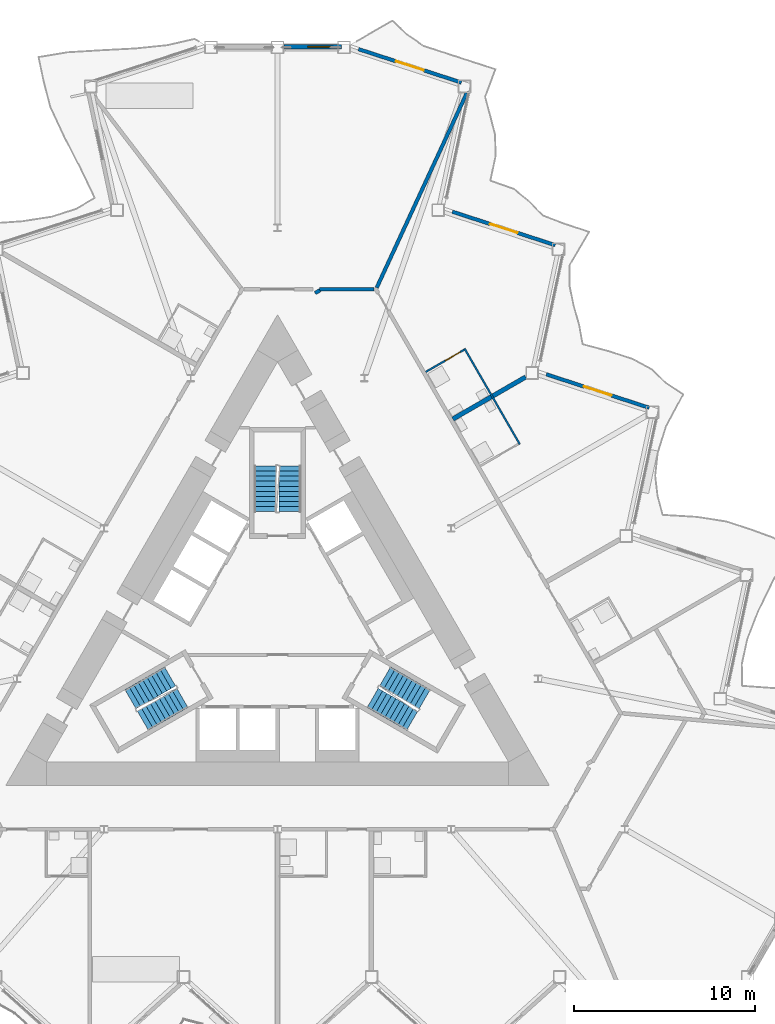
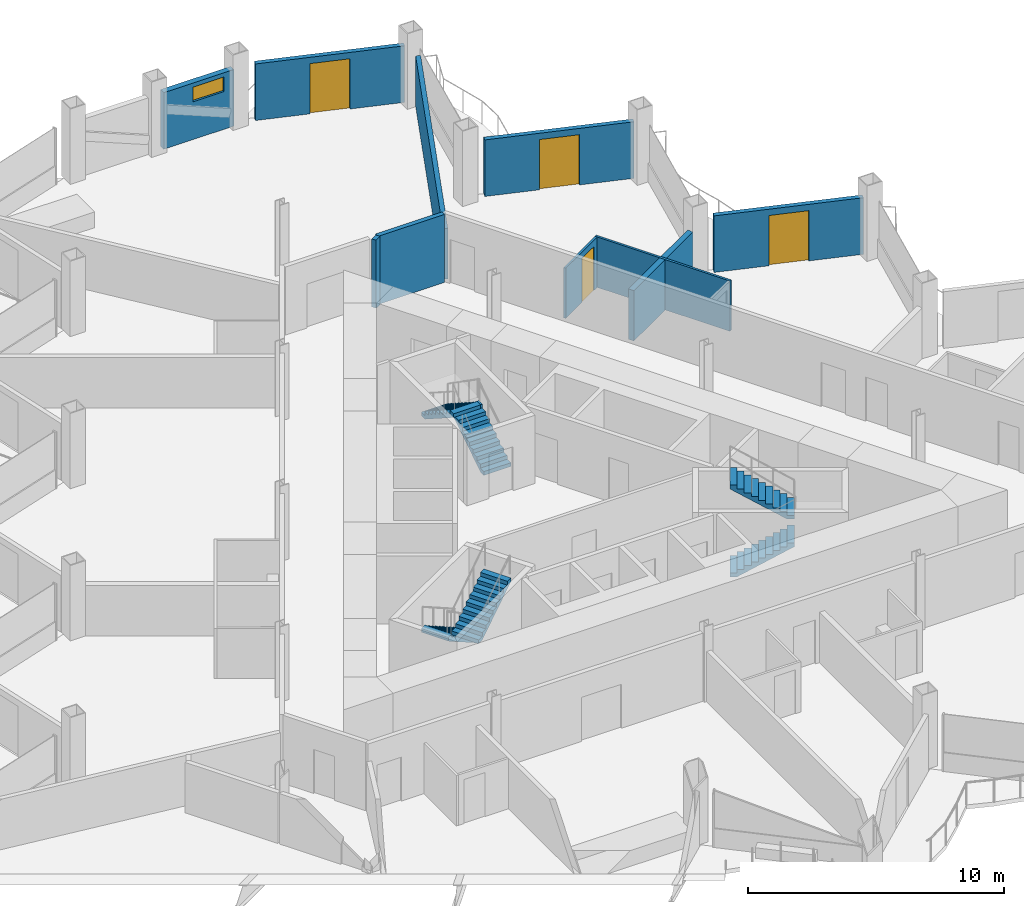
# One storey, part 15 of 23: 10 walls, 6 stair flights, 4 doors, 1 window, 5 openings, 3 elements without a shape of their own.
"""IFC4 building model written with IfcOpenShell, lengths in metres."""

import ifcopenshell
import ifcopenshell.guid

model = None  # the IFC model being written
_history = None  # IfcOwnerHistory: only IFC2X3 demands one
_inside = {}  # id of a spatial element -> (the spatial element, [elements in it])
_under = {}  # id of a project, library or spatial element -> (it, [spatial elements below it])
_declared = {}  # id of a project -> (the project, [libraries it declares])
_typed = {}  # id of a type object -> (the type object, [elements of that type])
_made_of = {}  # id of a material, layer set ... -> (it, [elements and type objects made of it])


def new_model(schema):
    """Start an empty IFC model of exactly this schema.

    Asked for "IFC4X3", IfcOpenShell would pick the latest addendum, in which some entities
    have other attributes; the version numbers below select the first issue.
    IFC2X3 requires an IfcOwnerHistory on every rooted entity: one is made here for all.
    """
    global model, _history
    if schema == "IFC4X3":
        model = ifcopenshell.file(schema_version=(4, 3, 0, 0))
    else:
        model = ifcopenshell.file(schema=schema)
    _inside.clear()
    _under.clear()
    _declared.clear()
    _typed.clear()
    _made_of.clear()
    _history = None
    if model.schema == "IFC2X3":
        org = make("IfcOrganization", Name="unknown")
        user = make(
            "IfcPersonAndOrganization",
            ThePerson=make("IfcPerson", FamilyName="unknown"),
            TheOrganization=org,
        )
        app = make(
            "IfcApplication",
            ApplicationDeveloper=org,
            Version="unknown",
            ApplicationFullName="unknown",
            ApplicationIdentifier="unknown",
        )
        _history = make(
            "IfcOwnerHistory",
            OwningUser=user,
            OwningApplication=app,
            ChangeAction="ADDED",
            CreationDate=0,
        )
    return model


def make(cls, **values):
    """One entity of the class cls with the attributes given. An attribute that is None is left unset."""
    return model.create_entity(
        cls, **{name: value for name, value in values.items() if value is not None}
    )


def rooted(cls, **values):
    """An entity with a GlobalId (a new one), such as an element, a storey or a relation."""
    return make(cls, GlobalId=ifcopenshell.guid.new(), OwnerHistory=_history, **values)


def si_unit(unit_type, name, prefix=None):
    """IfcSIUnit, for example si_unit("LENGTHUNIT", "METRE", prefix="MILLI")."""
    return make("IfcSIUnit", UnitType=unit_type, Prefix=prefix, Name=name)


def assignment(units):
    """IfcUnitAssignment: the units of a project."""
    return None if units is None else make("IfcUnitAssignment", Units=units)


def point(xyz):
    """IfcCartesianPoint."""
    return None if xyz is None else make("IfcCartesianPoint", Coordinates=xyz)


def direction(xyz):
    """IfcDirection."""
    return None if xyz is None else make("IfcDirection", DirectionRatios=xyz)


def frame(location, z_axis=None, x_axis=None):
    """IfcAxis2Placement3D, a coordinate frame: its origin and axes. An axis left out is left unset."""
    return make(
        "IfcAxis2Placement3D",
        Location=point(location),
        Axis=direction(z_axis),
        RefDirection=direction(x_axis),
    )


def frame_2d(location, x_axis=None):
    """IfcAxis2Placement2D, a coordinate frame in the plane: its origin and x axis."""
    return make(
        "IfcAxis2Placement2D", Location=point(location), RefDirection=direction(x_axis)
    )


def origin():
    """The frame at (0, 0, 0) with its axes left unset."""
    return frame((0.0, 0.0, 0.0))


def place(relative_to, where):
    """IfcLocalPlacement: puts the frame where relative to a parent placement (None: the world)."""
    return make(
        "IfcLocalPlacement", PlacementRelTo=relative_to, RelativePlacement=where
    )


def context(
    kind, dimensions, precision=None, world=None, true_north=None, identifier=None
):
    """IfcGeometricRepresentationContext, for example the 3D "Model" context."""
    return make(
        "IfcGeometricRepresentationContext",
        ContextIdentifier=identifier,
        ContextType=kind,
        CoordinateSpaceDimension=dimensions,
        Precision=precision,
        WorldCoordinateSystem=world,
        TrueNorth=true_north,
    )


def subcontext(parent, identifier, kind, view, scale=None):
    """IfcGeometricRepresentationSubContext, for example "Body" below "Model"."""
    return make(
        "IfcGeometricRepresentationSubContext",
        ContextIdentifier=identifier,
        ContextType=kind,
        ParentContext=parent,
        TargetScale=scale,
        TargetView=view,
    )


def project(units=None, contexts=None):
    """IfcProject with its units and contexts."""
    return rooted(
        "IfcProject",
        Name="project",
        RepresentationContexts=contexts,
        UnitsInContext=assignment(units),
    )


def spatial(cls, under=None, at=None, **own):
    """A site, building, storey or space (cls), placed at a placement, below another one or the project."""
    s = rooted(cls, ObjectPlacement=at, **own)
    if under is not None:
        _under.setdefault(under.id(), (under, []))[1].append(s)
    return s


def polyline(points):
    """IfcPolyline through the points."""
    return make("IfcPolyline", Points=[point(p) for p in points])


def profile(cls, at=None, kind="AREA", **sizes):
    """A parametric profile (cls). Its sizes go by their IFC names, for example OverallWidth=200.0."""
    return make(cls, ProfileType=kind, Position=at, **sizes)


def rectangle(**sizes):
    """IfcRectangleProfileDef."""
    return profile("IfcRectangleProfileDef", **sizes)


def outline(outer, holes=None, kind="AREA"):
    """IfcArbitraryClosedProfileDef: a profile drawn as a closed curve; with holes, ...WithVoids."""
    if holes is None:
        return make("IfcArbitraryClosedProfileDef", ProfileType=kind, OuterCurve=outer)
    return make(
        "IfcArbitraryProfileDefWithVoids",
        ProfileType=kind,
        OuterCurve=outer,
        InnerCurves=holes,
    )


def extrude(swept, where, along, depth):
    """IfcExtrudedAreaSolid: the profile swept, set in the frame where, extruded along a direction by depth."""
    return make(
        "IfcExtrudedAreaSolid",
        SweptArea=swept,
        Position=where,
        ExtrudedDirection=direction(along),
        Depth=depth,
    )


def shape(context_of_items, identifier, shape_type, items):
    """IfcShapeRepresentation: the items that make up one representation, for example the "Body"."""
    return make(
        "IfcShapeRepresentation",
        ContextOfItems=context_of_items,
        RepresentationIdentifier=identifier,
        RepresentationType=shape_type,
        Items=items,
    )


def material(Name=None, Category=None):
    """IfcMaterial."""
    return make("IfcMaterial", Name=Name, Category=Category)


def layer(
    of_material, thickness, ventilated=None, Name=None, Category=None, Priority=None
):
    """IfcMaterialLayer: one layer of a wall or slab, of a material (None: an air gap)."""
    return make(
        "IfcMaterialLayer",
        Material=of_material,
        LayerThickness=thickness,
        IsVentilated=ventilated,
        Name=Name,
        Category=Category,
        Priority=Priority,
    )


def layer_set(layers, Name=None):
    """IfcMaterialLayerSet."""
    return make("IfcMaterialLayerSet", MaterialLayers=layers, LayerSetName=Name)


def made_of(thing, what):
    """Note that an element or type object is made of a material, layer set ...; save() writes the relation."""
    if what is not None:
        _made_of.setdefault(what.id(), (what, []))[1].append(thing)
    return thing


def type_object(cls, material=None, **own):
    """A type object (cls), such as IfcWallType, which elements share."""
    return made_of(rooted(cls, **own), material)


def element(
    cls,
    number,
    at=None,
    inside=None,
    cuts=None,
    type_object=None,
    material=None,
    context=None,
    identifier="Body",
    shape_type=None,
    held_by="IfcProductDefinitionShape",
    body=None,
    shapes=None,
    **own,
):
    """One element of the class cls, such as IfcWall. Its Tag is "e" and its number.

    at: its placement. inside: the storey or other place that contains it. cuts: it is an
    opening in that element (IfcRelVoidsElement). A single representation is given by context,
    identifier, shape_type and body (its items); several are given by shapes. held_by: the class
    of the entity that holds the representations. save() writes the other relations.
    """
    e = rooted(cls, Tag="e%d" % number, ObjectPlacement=at, **own)
    if body is not None:
        shapes = [shape(context, identifier, shape_type, body)]
    if shapes is not None:
        e.Representation = make(held_by, Representations=shapes)
    if inside is not None:
        _inside.setdefault(inside.id(), (inside, []))[1].append(e)
    if cuts is not None:
        rooted(
            "IfcRelVoidsElement", RelatingBuildingElement=cuts, RelatedOpeningElement=e
        )
    if type_object is not None:
        _typed.setdefault(type_object.id(), (type_object, []))[1].append(e)
    return made_of(e, material)


def fill(opening, filler):
    """IfcRelFillsElement: the door or window that sits in an opening."""
    return rooted(
        "IfcRelFillsElement",
        RelatingOpeningElement=opening,
        RelatedBuildingElement=filler,
    )


def aggregate(whole, parts):
    """IfcRelAggregates: a whole, such as a stair, and the parts it consists of."""
    return rooted("IfcRelAggregates", RelatingObject=whole, RelatedObjects=parts)


def save(model, path):
    """Write the relations noted so far, then the file.

    IfcRelAggregates (storeys below a building ...), IfcRelContainedInSpatialStructure (elements
    in a storey), IfcRelDefinesByType, IfcRelAssociatesMaterial and IfcRelDeclares: one each for
    every whole, place, type object, material and project.
    """
    for whole, parts in _under.values():
        aggregate(whole, parts)
    for where, things in _inside.values():
        rooted(
            "IfcRelContainedInSpatialStructure",
            RelatedElements=things,
            RelatingStructure=where,
        )
    for kind, things in _typed.values():
        rooted("IfcRelDefinesByType", RelatedObjects=things, RelatingType=kind)
    for what, things in _made_of.values():
        rooted("IfcRelAssociatesMaterial", RelatedObjects=things, RelatingMaterial=what)
    for by, libraries in _declared.values():
        rooted("IfcRelDeclares", RelatingContext=by, RelatedDefinitions=libraries)
    model.write(path)


model = new_model("IFC4")

# Units and contexts
model_context = context("Model", 3, precision=1e-05, world=origin(), true_north=direction((0.0, 1.0)))
body_context = subcontext(model_context, "Body", "Model", "MODEL_VIEW")
ifc_project = project(units=[si_unit("LENGTHUNIT", "METRE"), si_unit("AREAUNIT", "SQUARE_METRE"), si_unit("VOLUMEUNIT", "CUBIC_METRE"), si_unit("PLANEANGLEUNIT", "RADIAN"), si_unit("MASSUNIT", "GRAM", prefix="KILO")], contexts=[model_context])

# Site, building, storey
site_placement = place(None, origin())
site = spatial("IfcSite", under=ifc_project, at=site_placement, CompositionType="ELEMENT")
building_placement = place(site_placement, origin())
building = spatial("IfcBuilding", under=site, at=building_placement, Name="Cormorant Prow Tower", CompositionType="ELEMENT")
storey_placement = place(building_placement, frame((0.0, 0.0, 256.199951171875)))
storey = spatial("IfcBuildingStorey", under=building, at=storey_placement, Name="L57", CompositionType="ELEMENT", Elevation=256.199951171875)

# Walls
ifc_material_1 = material(Name="Gypsum board corridor wall")
ifc_layer_1 = layer(ifc_material_1, 0.199951171875)
ifc_layer_set_1 = layer_set([ifc_layer_1], Name="Gypsum board corridor wall")
wall_type_1 = type_object("IfcWallType", Name="Corridor wall 200", PredefinedType="PARTITIONING", material=ifc_layer_set_1)
wall_1_placement = place(storey_placement, frame((2.324951171875, 18.720458984375, 0.0), z_axis=(0.0, 0.0, 1.0), x_axis=(1.0, 0.0, 0.0)))
element("IfcWall", 1, at=wall_1_placement, inside=storey, type_object=wall_type_1, Name="Corridor wall", PredefinedType="PARTITIONING", context=body_context, shape_type="SweptSolid", body=[
    extrude(rectangle(XDim=3.002197265625, YDim=0.199951171875, at=frame_2d((1.5009765625, 0.0))), origin(), (0.0, 0.0, 1.0), 3.25),
])
wall_2_placement = place(storey_placement, frame((2.06982421875, 18.515380859375, 0.0), z_axis=(0.0, 0.0, 1.0), x_axis=(0.866054481515, 0.499949632511, 0.0)))
element("IfcWall", 2, at=wall_2_placement, inside=storey, type_object=wall_type_1, Name="Corridor wall", PredefinedType="PARTITIONING", context=body_context, shape_type="SweptSolid", body=[
    extrude(rectangle(XDim=0.31005859375, YDim=0.199951171875, at=frame_2d((0.155029296875, 0.0))), origin(), (0.0, 0.0, 1.0), 3.25),
])
ifc_material_2 = material(Name="Gypsum board demising wall")
ifc_layer_2 = layer(ifc_material_2, 0.199951171875)
ifc_layer_set_2 = layer_set([ifc_layer_2], Name="Gypsum board demising wall")
wall_type_2 = type_object("IfcWallType", Name="Demising wall 200", PredefinedType="PARTITIONING", material=ifc_layer_set_2)
wall_3_placement = place(storey_placement, frame((5.46923828125, 18.81103515625, 0.0), z_axis=(0.0, 0.0, 1.0), x_axis=(0.419996836618, 0.907525568362, 0.0)))
element("IfcWall", 3, at=wall_3_placement, inside=storey, type_object=wall_type_2, Name="Demising wall", PredefinedType="PARTITIONING", context=body_context, shape_type="SweptSolid", body=[
    extrude(rectangle(XDim=11.83984375, YDim=0.199951171875, at=frame_2d((5.919921875, 0.0))), origin(), (0.0, 0.0, 1.0), 2.404296875),
])
ifc_material_3 = material(Name="Gypsum board partition")
ifc_layer_3 = layer(ifc_material_3, 0.10009765625)
ifc_layer_set_3 = layer_set([ifc_layer_3], Name="Gypsum board partition")
wall_type_3 = type_object("IfcWallType", Name="Internal partition 100", PredefinedType="PARTITIONING", material=ifc_layer_set_3)
wall_4_placement = place(storey_placement, frame((10.3134765625, 15.45703125, 0.0), z_axis=(0.0, 0.0, 1.0), x_axis=(0.499978833458, -0.866037623948, 0.0)))
element("IfcWall", 4, at=wall_4_placement, inside=storey, type_object=wall_type_3, Name="Internal partition", PredefinedType="PARTITIONING", context=body_context, shape_type="SweptSolid", body=[
    extrude(rectangle(XDim=6.099853515625, YDim=0.10009765625, at=frame_2d((3.0498046875, 0.0))), origin(), (0.0, 0.0, 1.0), 2.404296875),
])

# Wall, opening, door
wall_5_placement = place(storey_placement, frame((8.17333984375, 14.163818359375, 0.0), z_axis=(0.0, 0.0, 1.0), x_axis=(0.866014668023, 0.500018594424, 0.0)))
wall_5 = element("IfcWall", 5, at=wall_5_placement, inside=storey, type_object=wall_type_3, Name="Internal partition", PredefinedType="PARTITIONING", context=body_context, shape_type="SweptSolid", body=[
    extrude(rectangle(XDim=2.4501953125, YDim=0.10009765625, at=frame_2d((1.22509765625, 0.0))), origin(), (0.0, 0.0, 1.0), 2.404296875),
])
opening_1_placement = place(wall_5_placement, frame((1.25, 0.0, 0.0)))
opening_1 = element("IfcOpeningElement", 6, at=opening_1_placement, cuts=wall_5, Name="Opening L57-F17", PredefinedType="OPENING", context=body_context, shape_type="SweptSolid", body=[
    extrude(rectangle(XDim=0.949951171875, YDim=2.10009765625, at=frame_2d((0.47509765625, 1.050048828125))), frame((0.0, 0.06005859375, 0.0), z_axis=(0.0, -1.0, 0.0), x_axis=(1.0, 0.0, 0.0)), (0.0, 0.0, 1.0), 0.1201171875),
])
ifc_material_4 = material(Name="Timber door leaf", Category="wood")
door_type_1 = type_object("IfcDoorType", Name="Bathroom door 950x2100", OperationType="NOTDEFINED", PredefinedType="DOOR", material=ifc_material_4)
door_1_placement = place(opening_1_placement, origin())
door_1 = element("IfcDoor", 7, at=door_1_placement, inside=storey, type_object=door_type_1, Name="Executive suite bedroom door", OperationType="SINGLE_SWING_RIGHT", OverallHeight=2.10009765625, OverallWidth=0.949951171875, PredefinedType="DOOR", context=body_context, shape_type="SweptSolid", body=[
    extrude(rectangle(XDim=0.949951171875, YDim=2.10009765625, at=frame_2d((0.47509765625, 1.050048828125))), frame((0.0, 0.02490234375, 0.0), z_axis=(0.0, -1.0, 0.0), x_axis=(1.0, 0.0, 0.0)), (0.0, 0.0, 1.0), 0.050048828125),
])
fill(opening_1, door_1)

# Wall
ifc_material_5 = material(Name="Acoustic gypsum party wall")
ifc_layer_4 = layer(ifc_material_5, 0.25)
ifc_layer_set_4 = layer_set([ifc_layer_4], Name="Acoustic gypsum party wall")
wall_type_4 = type_object("IfcWallType", Name="Suite party wall 250", PredefinedType="PARTITIONING", material=ifc_layer_set_4)
wall_6_placement = place(storey_placement, frame((9.67333984375, 11.565673828125, 0.0), z_axis=(0.0, 0.0, 1.0), x_axis=(0.866039966287, 0.499974776157, 0.0)))
element("IfcWall", 8, at=wall_6_placement, inside=storey, type_object=wall_type_4, Name="Suite party wall", PredefinedType="PARTITIONING", context=body_context, shape_type="SweptSolid", body=[
    extrude(rectangle(XDim=4.634521484375, YDim=0.25, at=frame_2d((2.3173828125, 0.0))), origin(), (0.0, 0.0, 1.0), 2.404296875),
])

# Wall, opening, window
ifc_material_6 = material(Name="Terracotta", Category="masonry")
ifc_layer_5 = layer(ifc_material_6, 0.25)
ifc_layer_set_5 = layer_set([ifc_layer_5], Name="Terracotta")
wall_type_5 = type_object("IfcWallType", Name="Terracotta bay wall 250", PredefinedType="SOLIDWALL", material=ifc_layer_set_5)
wall_7_placement = place(storey_placement, frame((3.518798828125, 32.099609375, 0.0), z_axis=(0.0, 0.0, 1.0), x_axis=(-1.0, 0.0, 0.0)))
wall_7 = element("IfcWall", 9, at=wall_7_placement, inside=storey, type_object=wall_type_5, Name="Terracotta bay wall N00", PredefinedType="SOLIDWALL", context=body_context, shape_type="SweptSolid", body=[
    extrude(rectangle(XDim=3.168701171875, YDim=0.25, at=frame_2d((1.58447265625, 0.0))), origin(), (0.0, 0.0, 1.0), 2.700927734375),
])
opening_2_placement = place(wall_7_placement, frame((0.449951171875, 0.0, 1.800048828125)))
opening_2 = element("IfcOpeningElement", 10, at=opening_2_placement, cuts=wall_7, Name="Opening WN4", PredefinedType="OPENING", context=body_context, shape_type="SweptSolid", body=[
    extrude(rectangle(XDim=1.39990234375, YDim=0.699951171875, at=frame_2d((0.699951171875, 0.35009765625))), frame((0.0, 0.135009765625, 0.0), z_axis=(0.0, -1.0, 0.0), x_axis=(1.0, 0.0, 0.0)), (0.0, 0.0, 1.0), 0.27001953125),
])
ifc_material_7 = material(Name="Aluminium 6063-T6", Category="aluminium")
window_type = type_object("IfcWindowType", Name="Corner bay window 1400x700", PartitioningType="SINGLE_PANEL", PredefinedType="WINDOW", material=ifc_material_7)
window_placement = place(opening_2_placement, origin())
window = element("IfcWindow", 11, at=window_placement, inside=storey, type_object=window_type, Name="Corner bay window N00", OverallHeight=0.699951171875, OverallWidth=1.39990234375, PartitioningType="SINGLE_PANEL", PredefinedType="WINDOW", context=body_context, shape_type="SweptSolid", body=[
    extrude(rectangle(XDim=1.39990234375, YDim=0.699951171875, at=frame_2d((0.699951171875, 0.35009765625))), frame((0.0, 0.030029296875, 0.0), z_axis=(0.0, -1.0, 0.0), x_axis=(1.0, 0.0, 0.0)), (0.0, 0.0, 1.0), 0.06005859375),
])
fill(opening_2, window)

# Wall, opening, door
ifc_material_8 = material(Name="Terracotta", Category="masonry")
ifc_layer_6 = layer(ifc_material_8, 0.199951171875)
ifc_layer_set_6 = layer_set([ifc_layer_6], Name="Terracotta")
wall_type_6 = type_object("IfcWallType", Name="Terracotta jamb wall 200", PredefinedType="SOLIDWALL", material=ifc_layer_set_6)
wall_8_placement = place(storey_placement, frame((20.5, 12.188232421875, 0.0), z_axis=(0.0, 0.0, 1.0), x_axis=(-0.951053307318, 0.309026870418, 0.0)))
wall_8 = element("IfcWall", 12, at=wall_8_placement, inside=storey, type_object=wall_type_6, Name="Terracotta jamb wall ENE05", PredefinedType="SOLIDWALL", context=body_context, shape_type="SweptSolid", body=[
    extrude(rectangle(XDim=5.9677734375, YDim=0.199951171875, at=frame_2d((2.98388671875, 0.0))), origin(), (0.0, 0.0, 1.0), 2.700927734375),
])
opening_3_placement = place(wall_8_placement, frame((2.183837890625, 0.0, 0.0)))
opening_3 = element("IfcOpeningElement", 13, at=opening_3_placement, cuts=wall_8, Name="Opening ED57.08", PredefinedType="OPENING", context=body_context, shape_type="SweptSolid", body=[
    extrude(rectangle(XDim=1.60009765625, YDim=2.39990234375, at=frame_2d((0.800048828125, 1.199951171875))), frame((0.0, 0.10986328125, 0.0), z_axis=(0.0, -1.0, 0.0), x_axis=(1.0, 0.0, 0.0)), (0.0, 0.0, 1.0), 0.219970703125),
])
ifc_material_9 = material(Name="Aluminium 6063-T6", Category="aluminium")
door_type_2 = type_object("IfcDoorType", Name="Balcony door 1600x2400", OperationType="DOUBLE_DOOR_SINGLE_SWING", PredefinedType="DOOR", material=ifc_material_9)
door_2_placement = place(opening_3_placement, origin())
door_2 = element("IfcDoor", 14, at=door_2_placement, inside=storey, type_object=door_type_2, Name="Balcony door ENE05 ED57.08", OperationType="DOUBLE_DOOR_SINGLE_SWING", OverallHeight=2.39990234375, OverallWidth=1.60009765625, PredefinedType="DOOR", context=body_context, shape_type="SweptSolid", body=[
    extrude(rectangle(XDim=1.60009765625, YDim=2.39990234375, at=frame_2d((0.800048828125, 1.199951171875))), frame((0.0, 0.02490234375, 0.0), z_axis=(0.0, -1.0, 0.0), x_axis=(1.0, 0.0, 0.0)), (0.0, 0.0, 1.0), 0.050048828125),
])
fill(opening_3, door_2)

wall_9_placement = place(storey_placement, frame((15.320556640625, 21.159423828125, 0.0), z_axis=(0.0, 0.0, 1.0), x_axis=(-0.951053307318, 0.309026870418, 0.0)))
wall_9 = element("IfcWall", 15, at=wall_9_placement, inside=storey, type_object=wall_type_6, Name="Terracotta jamb wall ENE07", PredefinedType="SOLIDWALL", context=body_context, shape_type="SweptSolid", body=[
    extrude(rectangle(XDim=5.9677734375, YDim=0.199951171875, at=frame_2d((2.98388671875, 0.0))), origin(), (0.0, 0.0, 1.0), 2.700927734375),
])
opening_4_placement = place(wall_9_placement, frame((2.183837890625, 0.0, 0.0)))
opening_4 = element("IfcOpeningElement", 16, at=opening_4_placement, cuts=wall_9, Name="Opening ED57.09", PredefinedType="OPENING", context=body_context, shape_type="SweptSolid", body=[
    extrude(rectangle(XDim=1.60009765625, YDim=2.39990234375, at=frame_2d((0.800048828125, 1.199951171875))), frame((0.0, 0.10986328125, 0.0), z_axis=(0.0, -1.0, 0.0), x_axis=(1.0, 0.0, 0.0)), (0.0, 0.0, 1.0), 0.219970703125),
])
door_3_placement = place(opening_4_placement, origin())
door_3 = element("IfcDoor", 17, at=door_3_placement, inside=storey, type_object=door_type_2, Name="Balcony door ENE07 ED57.09", OperationType="DOUBLE_DOOR_SINGLE_SWING", OverallHeight=2.39990234375, OverallWidth=1.60009765625, PredefinedType="DOOR", context=body_context, shape_type="SweptSolid", body=[
    extrude(rectangle(XDim=1.60009765625, YDim=2.39990234375, at=frame_2d((0.800048828125, 1.199951171875))), frame((0.0, 0.02490234375, 0.0), z_axis=(0.0, -1.0, 0.0), x_axis=(1.0, 0.0, 0.0)), (0.0, 0.0, 1.0), 0.050048828125),
])
fill(opening_4, door_3)

wall_10_placement = place(storey_placement, frame((10.140869140625, 30.130615234375, 0.0), z_axis=(0.0, 0.0, 1.0), x_axis=(-0.951049400374, 0.309038894069, 0.0)))
wall_10 = element("IfcWall", 18, at=wall_10_placement, inside=storey, type_object=wall_type_6, Name="Terracotta jamb wall ENE09", PredefinedType="SOLIDWALL", context=body_context, shape_type="SweptSolid", body=[
    extrude(rectangle(XDim=5.9677734375, YDim=0.199951171875, at=frame_2d((2.98388671875, 0.0))), origin(), (0.0, 0.0, 1.0), 2.700927734375),
])
opening_5_placement = place(wall_10_placement, frame((2.183837890625, 0.0, 0.0)))
opening_5 = element("IfcOpeningElement", 19, at=opening_5_placement, cuts=wall_10, Name="Opening ED57.10", PredefinedType="OPENING", context=body_context, shape_type="SweptSolid", body=[
    extrude(rectangle(XDim=1.60009765625, YDim=2.39990234375, at=frame_2d((0.800048828125, 1.199951171875))), frame((0.0, 0.10986328125, 0.0), z_axis=(0.0, -1.0, 0.0), x_axis=(1.0, 0.0, 0.0)), (0.0, 0.0, 1.0), 0.219970703125),
])
door_4_placement = place(opening_5_placement, origin())
door_4 = element("IfcDoor", 20, at=door_4_placement, inside=storey, type_object=door_type_2, Name="Balcony door ENE09 ED57.10", OperationType="DOUBLE_DOOR_SINGLE_SWING", OverallHeight=2.39990234375, OverallWidth=1.60009765625, PredefinedType="DOOR", context=body_context, shape_type="SweptSolid", body=[
    extrude(rectangle(XDim=1.60009765625, YDim=2.39990234375, at=frame_2d((0.800048828125, 1.199951171875))), frame((0.0, 0.02490234375, 0.0), z_axis=(0.0, -1.0, 0.0), x_axis=(1.0, 0.0, 0.0)), (0.0, 0.0, 1.0), 0.050048828125),
])
fill(opening_5, door_4)

# Stair, stair flights
ifc_material_10 = material(Name="Exit stair 20 risers")
stair_type = type_object("IfcStairType", Name="Exit stair 20 risers", PredefinedType="HALF_TURN_STAIR", material=ifc_material_10)
stair_1_placement = place(storey_placement, origin())
stair_1 = element("IfcStair", 21, at=stair_1_placement, inside=storey, type_object=stair_type, Name="L57 Exit stair ST1", PredefinedType="HALF_TURN_STAIR")
ifc_material_11 = material(Name="Concrete 5000 psi", Category="concrete")
stair_flight_type = type_object("IfcStairFlightType", Name="Stair flight 1219", PredefinedType="STRAIGHT", material=ifc_material_11)
stair_flight_1_placement = place(storey_placement, frame((-5.93310546875, -2.635009765625, 0.0), z_axis=(0.0, 0.0, 1.0), x_axis=(-0.866025403784, -0.5, 0.0)))
stair_flight_1 = element("IfcStairFlight", 22, at=stair_flight_1_placement, type_object=stair_flight_type, Name="ST1 flight 1", NumberOfRisers=10, NumberOfTreads=9, PredefinedType="STRAIGHT", RiserHeight=0.18, TreadLength=0.28, context=body_context, shape_type="SweptSolid", body=[
    extrude(outline(polyline([(0.0, 0.0), (0.0, 0.179931640625), (0.280029296875, 0.179931640625), (0.280029296875, 0.360107421875), (0.56005859375, 0.360107421875), (0.56005859375, 0.5400390625), (0.840087890625, 0.5400390625), (0.840087890625, 0.719970703125), (1.1201171875, 0.719970703125), (1.1201171875, 0.89990234375), (1.39990234375, 0.89990234375), (1.39990234375, 1.080078125), (1.679931640625, 1.080078125), (1.679931640625, 1.260009765625), (1.9599609375, 1.260009765625), (1.9599609375, 1.43994140625), (2.239990234375, 1.43994140625), (2.239990234375, 1.6201171875), (2.52001953125, 1.6201171875), (2.52001953125, 1.800048828125), (2.52001953125, 1.44189453125), (0.277099609375, 0.0), (0.0, 0.0)])), frame((0.0, 0.609375, 0.0), z_axis=(0.0, -1.0, 0.0), x_axis=(1.0, 0.0, 0.0)), (0.0, 0.0, 1.0), 1.218994140625),
])
stair_flight_2_placement = place(storey_placement, frame((-7.43115234375, -5.080810546875, 1.800048828125), z_axis=(0.0, 0.0, 1.0), x_axis=(0.866025403784, 0.5, 0.0)))
stair_flight_2 = element("IfcStairFlight", 23, at=stair_flight_2_placement, type_object=stair_flight_type, Name="ST1 flight 2", NumberOfRisers=10, NumberOfTreads=9, PredefinedType="STRAIGHT", RiserHeight=0.18, TreadLength=0.28, context=body_context, shape_type="SweptSolid", body=[
    extrude(outline(polyline([(0.0, 0.0), (0.0, 0.179931640625), (0.280029296875, 0.179931640625), (0.280029296875, 0.360107421875), (0.56005859375, 0.360107421875), (0.56005859375, 0.5400390625), (0.840087890625, 0.5400390625), (0.840087890625, 0.719970703125), (1.1201171875, 0.719970703125), (1.1201171875, 0.89990234375), (1.39990234375, 0.89990234375), (1.39990234375, 1.080078125), (1.679931640625, 1.080078125), (1.679931640625, 1.260009765625), (1.9599609375, 1.260009765625), (1.9599609375, 1.43994140625), (2.239990234375, 1.43994140625), (2.239990234375, 1.6201171875), (2.52001953125, 1.6201171875), (2.52001953125, 1.800048828125), (2.52001953125, 1.44189453125), (0.277099609375, 0.0), (0.0, 0.0)])), frame((0.0, 0.609375, 0.0), z_axis=(0.0, -1.0, 0.0), x_axis=(1.0, 0.0, 0.0)), (0.0, 0.0, 1.0), 1.218994140625),
])
aggregate(stair_1, [stair_flight_1, stair_flight_2])

stair_2_placement = place(storey_placement, origin())
stair_2 = element("IfcStair", 24, at=stair_2_placement, inside=storey, type_object=stair_type, Name="L57 Exit stair ST2", PredefinedType="HALF_TURN_STAIR")
stair_flight_3_placement = place(storey_placement, frame((5.24853515625, -3.82080078125, 0.0), z_axis=(0.0, 0.0, 1.0), x_axis=(0.866025403784, -0.5, 0.0)))
stair_flight_3 = element("IfcStairFlight", 25, at=stair_flight_3_placement, type_object=stair_flight_type, Name="ST2 flight 1", NumberOfRisers=10, NumberOfTreads=9, PredefinedType="STRAIGHT", RiserHeight=0.18, TreadLength=0.28, context=body_context, shape_type="SweptSolid", body=[
    extrude(outline(polyline([(0.0, 0.0), (0.0, 0.179931640625), (0.280029296875, 0.179931640625), (0.280029296875, 0.360107421875), (0.56005859375, 0.360107421875), (0.56005859375, 0.5400390625), (0.840087890625, 0.5400390625), (0.840087890625, 0.719970703125), (1.1201171875, 0.719970703125), (1.1201171875, 0.89990234375), (1.39990234375, 0.89990234375), (1.39990234375, 1.080078125), (1.679931640625, 1.080078125), (1.679931640625, 1.260009765625), (1.9599609375, 1.260009765625), (1.9599609375, 1.43994140625), (2.239990234375, 1.43994140625), (2.239990234375, 1.6201171875), (2.52001953125, 1.6201171875), (2.52001953125, 1.800048828125), (2.52001953125, 1.44189453125), (0.277099609375, 0.0), (0.0, 0.0)])), frame((0.0, 0.609375, 0.0), z_axis=(0.0, -1.0, 0.0), x_axis=(1.0, 0.0, 0.0)), (0.0, 0.0, 1.0), 1.218994140625),
])
stair_flight_4_placement = place(storey_placement, frame((8.115478515625, -3.89501953125, 1.800048828125), z_axis=(0.0, 0.0, 1.0), x_axis=(-0.866025403784, 0.5, 0.0)))
stair_flight_4 = element("IfcStairFlight", 26, at=stair_flight_4_placement, type_object=stair_flight_type, Name="ST2 flight 2", NumberOfRisers=10, NumberOfTreads=9, PredefinedType="STRAIGHT", RiserHeight=0.18, TreadLength=0.28, context=body_context, shape_type="SweptSolid", body=[
    extrude(outline(polyline([(0.0, 0.0), (0.0, 0.179931640625), (0.280029296875, 0.179931640625), (0.280029296875, 0.360107421875), (0.56005859375, 0.360107421875), (0.56005859375, 0.5400390625), (0.840087890625, 0.5400390625), (0.840087890625, 0.719970703125), (1.1201171875, 0.719970703125), (1.1201171875, 0.89990234375), (1.39990234375, 0.89990234375), (1.39990234375, 1.080078125), (1.679931640625, 1.080078125), (1.679931640625, 1.260009765625), (1.9599609375, 1.260009765625), (1.9599609375, 1.43994140625), (2.239990234375, 1.43994140625), (2.239990234375, 1.6201171875), (2.52001953125, 1.6201171875), (2.52001953125, 1.800048828125), (2.52001953125, 1.44189453125), (0.277099609375, 0.0), (0.0, 0.0)])), frame((0.0, 0.609375, 0.0), z_axis=(0.0, -1.0, 0.0), x_axis=(1.0, 0.0, 0.0)), (0.0, 0.0, 1.0), 1.218994140625),
])
aggregate(stair_2, [stair_flight_3, stair_flight_4])

stair_3_placement = place(storey_placement, origin())
stair_3 = element("IfcStair", 27, at=stair_3_placement, inside=storey, type_object=stair_type, Name="L57 Exit stair ST3", PredefinedType="HALF_TURN_STAIR")
stair_flight_5_placement = place(storey_placement, frame((0.6845703125, 6.455810546875, 0.0), z_axis=(0.0, 0.0, 1.0), x_axis=(0.0, 1.0, 0.0)))
stair_flight_5 = element("IfcStairFlight", 28, at=stair_flight_5_placement, type_object=stair_flight_type, Name="ST3 flight 1", NumberOfRisers=10, NumberOfTreads=9, PredefinedType="STRAIGHT", RiserHeight=0.18, TreadLength=0.28, context=body_context, shape_type="SweptSolid", body=[
    extrude(outline(polyline([(0.0, 0.0), (0.0, 0.179931640625), (0.280029296875, 0.179931640625), (0.280029296875, 0.360107421875), (0.56005859375, 0.360107421875), (0.56005859375, 0.5400390625), (0.840087890625, 0.5400390625), (0.840087890625, 0.719970703125), (1.1201171875, 0.719970703125), (1.1201171875, 0.89990234375), (1.39990234375, 0.89990234375), (1.39990234375, 1.080078125), (1.679931640625, 1.080078125), (1.679931640625, 1.260009765625), (1.9599609375, 1.260009765625), (1.9599609375, 1.43994140625), (2.239990234375, 1.43994140625), (2.239990234375, 1.6201171875), (2.52001953125, 1.6201171875), (2.52001953125, 1.800048828125), (2.52001953125, 1.44189453125), (0.277099609375, 0.0), (0.0, 0.0)])), frame((0.0, 0.609375, 0.0), z_axis=(0.0, -1.0, 0.0), x_axis=(1.0, 0.0, 0.0)), (0.0, 0.0, 1.0), 1.218994140625),
])
stair_flight_6_placement = place(storey_placement, frame((-0.6845703125, 8.975830078125, 1.800048828125), z_axis=(0.0, 0.0, 1.0), x_axis=(0.0, -1.0, 0.0)))
stair_flight_6 = element("IfcStairFlight", 29, at=stair_flight_6_placement, type_object=stair_flight_type, Name="ST3 flight 2", NumberOfRisers=10, NumberOfTreads=9, PredefinedType="STRAIGHT", RiserHeight=0.18, TreadLength=0.28, context=body_context, shape_type="SweptSolid", body=[
    extrude(outline(polyline([(0.0, 0.0), (0.0, 0.179931640625), (0.280029296875, 0.179931640625), (0.280029296875, 0.360107421875), (0.56005859375, 0.360107421875), (0.56005859375, 0.5400390625), (0.840087890625, 0.5400390625), (0.840087890625, 0.719970703125), (1.1201171875, 0.719970703125), (1.1201171875, 0.89990234375), (1.39990234375, 0.89990234375), (1.39990234375, 1.080078125), (1.679931640625, 1.080078125), (1.679931640625, 1.260009765625), (1.9599609375, 1.260009765625), (1.9599609375, 1.43994140625), (2.239990234375, 1.43994140625), (2.239990234375, 1.6201171875), (2.52001953125, 1.6201171875), (2.52001953125, 1.800048828125), (2.52001953125, 1.44189453125), (0.277099609375, 0.0), (0.0, 0.0)])), frame((0.0, 0.609375, 0.0), z_axis=(0.0, -1.0, 0.0), x_axis=(1.0, 0.0, 0.0)), (0.0, 0.0, 1.0), 1.218994140625),
])
aggregate(stair_3, [stair_flight_5, stair_flight_6])

save(model, "model.ifc")
